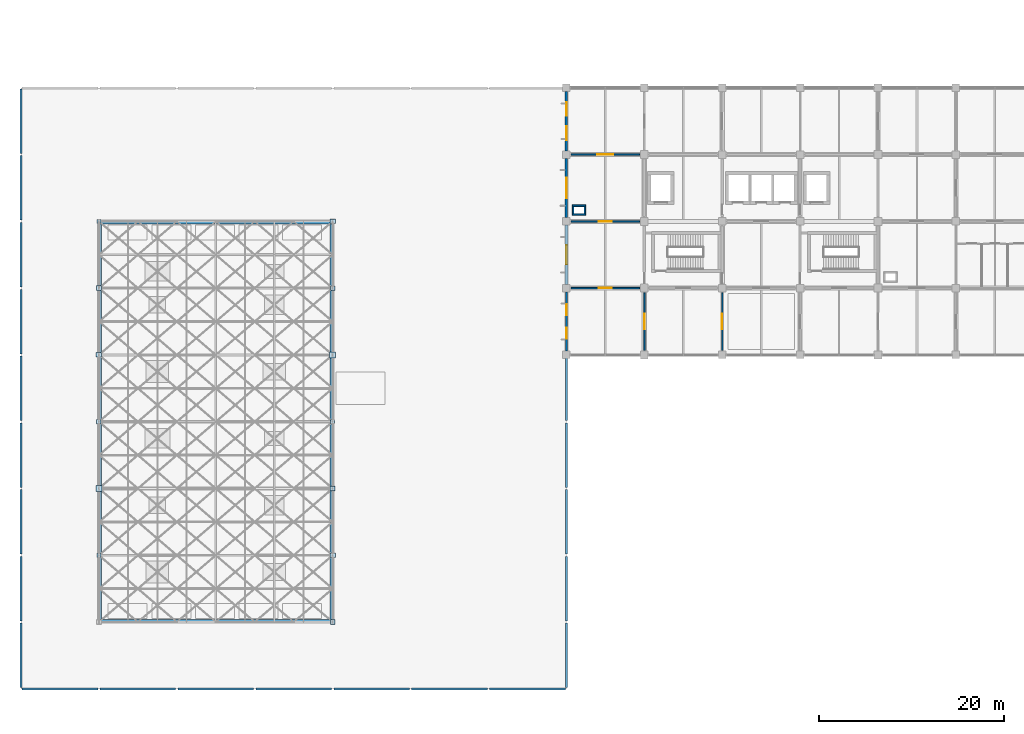
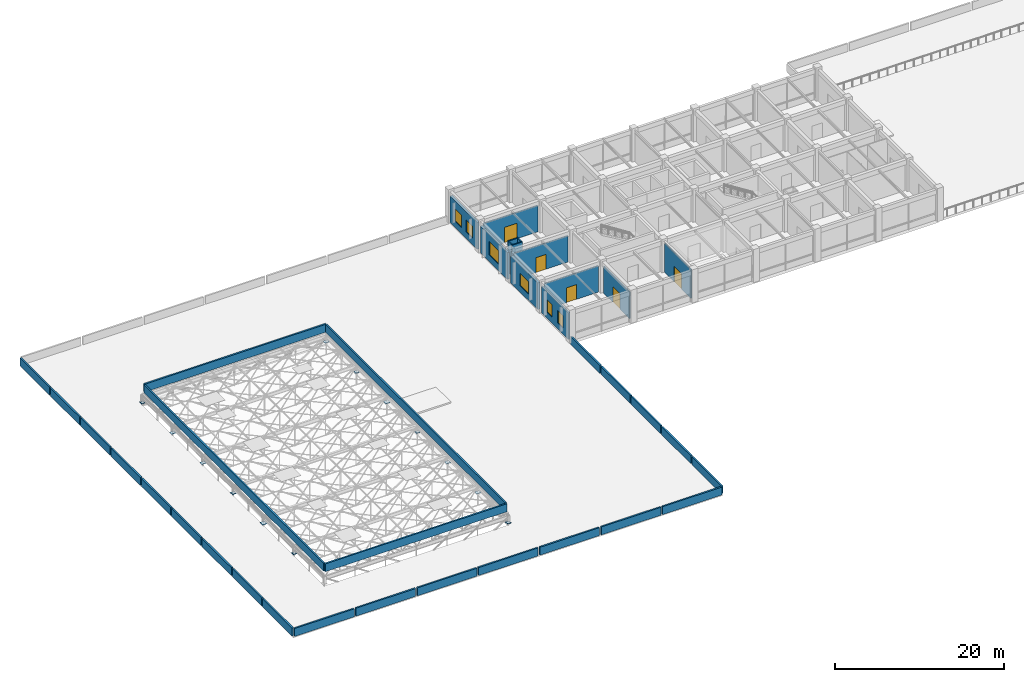
# One storey, part 38 of 45: 38 walls, 13 plates, 6 windows, 5 doors, 11 openings.
"""IFC4 building model written with IfcOpenShell, lengths in metres."""

from ifc_helpers import new_model, si_unit, derived_unit, direction, frame, frame_2d, origin, origin_2d, place, context, subcontext, project, spatial, rectangle, extrude, material, layer, layer_set, type_object, element, fill, save


model = new_model("IFC4")

# Units and contexts
model_context = context("Model", 3, precision=1e-05, world=origin(), true_north=direction((0.0, 1.0)))
body_context = subcontext(model_context, "Body", "Model", "MODEL_VIEW")
ifc_project = project(units=[si_unit("LENGTHUNIT", "METRE"), si_unit("AREAUNIT", "SQUARE_METRE"), si_unit("VOLUMEUNIT", "CUBIC_METRE"), si_unit("PLANEANGLEUNIT", "RADIAN"), si_unit("MASSUNIT", "GRAM", prefix="KILO"), derived_unit("THERMALTRANSMITTANCEUNIT", [(si_unit("MASSUNIT", "GRAM", prefix="KILO"), 1), (si_unit("TIMEUNIT", "SECOND"), -3), (si_unit("THERMODYNAMICTEMPERATUREUNIT", "KELVIN"), -1)])], contexts=[model_context])

# Site, building, storey
site_placement = place(None, origin())
site = spatial("IfcSite", under=ifc_project, at=site_placement, CompositionType="ELEMENT")
building_placement = place(site_placement, origin())
building = spatial("IfcBuilding", under=site, at=building_placement, Name="Veldstrom Oceanarium and Marine Research Institute", CompositionType="ELEMENT")
storey_placement = place(building_placement, frame((0.0, 0.0, 22.199951171875)))
storey = spatial("IfcBuildingStorey", under=building, at=storey_placement, Name="L04", CompositionType="ELEMENT", Elevation=22.199951171875)

# Plates
ifc_material_1 = material(Name="Steel S355JR", Category="steel")
ifc_layer_1 = layer(ifc_material_1, 0.0400390625)
ifc_layer_set_1 = layer_set([ifc_layer_1], Name="STR-PLT-BP1")
plate_type_1 = type_object("IfcPlateType", Name="STR-PLT-BP1", PredefinedType="SHEET", material=ifc_layer_set_1)
for number, where, z_axis, x_axis, name in (
    (1, (16.800048828125, 28.800048828125, 0.0), (0.0, 0.0, 1.0), (1.0, 0.0, 0.0), "Steel Pedestal Base Plate BP01-005"),
    (2, (42.0, 43.199951171875, 0.0), (0.0, 0.0, 1.0), (1.0, 0.0, 0.0), "Steel Pedestal Base Plate BP01-010"),
):
    element("IfcPlate", number, at=place(storey_placement, frame(where, z_axis=z_axis, x_axis=x_axis)), inside=storey, type_object=plate_type_1, Name=name, PredefinedType="SHEET", context=body_context, shape_type="SweptSolid", body=[
        extrude(rectangle(XDim=0.64990234375, YDim=0.64990234375, at=origin_2d()), origin(), (0.0, 0.0, 1.0), 0.0400390625),
    ])
ifc_material_2 = material(Name="Steel S355JR", Category="steel")
ifc_layer_2 = layer(ifc_material_2, 0.034912109375)
ifc_layer_set_2 = layer_set([ifc_layer_2], Name="STR-PLT-BP2")
plate_type_2 = type_object("IfcPlateType", Name="STR-PLT-BP2", PredefinedType="SHEET", material=ifc_layer_set_2)
for number, where, z_axis, x_axis, name in (
    (3, (42.0, 28.800048828125, 0.0), (0.0, 0.0, 1.0), (1.0, 0.0, 0.0), "Steel Pedestal Base Plate BP02-006"),
    (4, (16.800048828125, 50.39990234375, 0.0), (0.0, 0.0, 1.0), (1.0, 0.0, 0.0), "Steel Pedestal Base Plate BP02-011"),
):
    element("IfcPlate", number, at=place(storey_placement, frame(where, z_axis=z_axis, x_axis=x_axis)), inside=storey, type_object=plate_type_2, Name=name, PredefinedType="SHEET", context=body_context, shape_type="SweptSolid", body=[
        extrude(rectangle(XDim=0.550048828125, YDim=0.550048828125, at=origin_2d()), origin(), (0.0, 0.0, 1.0), 0.034912109375),
    ])
ifc_material_3 = material(Name="Steel S355JR", Category="steel")
ifc_layer_3 = layer(ifc_material_3, 0.031982421875)
ifc_layer_set_3 = layer_set([ifc_layer_3], Name="STR-PLT-BP3")
plate_type_3 = type_object("IfcPlateType", Name="STR-PLT-BP3", PredefinedType="SHEET", material=ifc_layer_set_3)
for number, where, z_axis, x_axis, name in (
    (5, (42.0, 14.39990234375, 0.0), (0.0, 0.0, 1.0), (1.0, 0.0, 0.0), "Steel Pedestal Base Plate BP03-002"),
    (6, (16.800048828125, 36.0, 0.0), (0.0, 0.0, 1.0), (1.0, 0.0, 0.0), "Steel Pedestal Base Plate BP03-007"),
    (7, (42.0, 50.39990234375, 0.0), (0.0, 0.0, 1.0), (1.0, 0.0, 0.0), "Steel Pedestal Base Plate BP03-012"),
):
    element("IfcPlate", number, at=place(storey_placement, frame(where, z_axis=z_axis, x_axis=x_axis)), inside=storey, type_object=plate_type_3, Name=name, PredefinedType="SHEET", context=body_context, shape_type="SweptSolid", body=[
        extrude(rectangle(XDim=0.5, YDim=0.5, at=origin_2d()), origin(), (0.0, 0.0, 1.0), 0.031982421875),
    ])
ifc_material_4 = material(Name="Steel S355JR", Category="steel")
ifc_layer_4 = layer(ifc_material_4, 0.030029296875)
ifc_layer_set_4 = layer_set([ifc_layer_4], Name="STR-PLT-BP4")
plate_type_4 = type_object("IfcPlateType", Name="STR-PLT-BP4", PredefinedType="SHEET", material=ifc_layer_set_4)
for number, where, z_axis, x_axis, name in (
    (8, (16.800048828125, 21.60009765625, 0.0), (0.0, 0.0, 1.0), (1.0, 0.0, 0.0), "Steel Pedestal Base Plate BP04-003"),
    (9, (42.0, 36.0, 0.0), (0.0, 0.0, 1.0), (1.0, 0.0, 0.0), "Steel Pedestal Base Plate BP04-008"),
    (10, (16.800048828125, 57.60009765625, 0.0), (0.0, 0.0, 1.0), (1.0, 0.0, 0.0), "Steel Pedestal Base Plate BP04-013"),
):
    element("IfcPlate", number, at=place(storey_placement, frame(where, z_axis=z_axis, x_axis=x_axis)), inside=storey, type_object=plate_type_4, Name=name, PredefinedType="SHEET", context=body_context, shape_type="SweptSolid", body=[
        extrude(rectangle(XDim=0.449951171875, YDim=0.449951171875, at=origin_2d()), origin(), (0.0, 0.0, 1.0), 0.030029296875),
    ])
ifc_material_5 = material(Name="Steel S355JR", Category="steel")
ifc_layer_5 = layer(ifc_material_5, 0.035888671875)
ifc_layer_set_5 = layer_set([ifc_layer_5], Name="STR-PLT-BP5")
plate_type_5 = type_object("IfcPlateType", Name="STR-PLT-BP5", PredefinedType="SHEET", material=ifc_layer_set_5)
for number, where, z_axis, x_axis, name in (
    (11, (42.0, 21.60009765625, 0.0), (0.0, 0.0, 1.0), (1.0, 0.0, 0.0), "Steel Pedestal Base Plate BP05-004"),
    (12, (16.800048828125, 43.199951171875, 0.0), (0.0, 0.0, 1.0), (1.0, 0.0, 0.0), "Steel Pedestal Base Plate BP05-009"),
    (13, (42.0, 57.60009765625, 0.0), (0.0, 0.0, 1.0), (1.0, 0.0, 0.0), "Steel Pedestal Base Plate BP05-014"),
):
    element("IfcPlate", number, at=place(storey_placement, frame(where, z_axis=z_axis, x_axis=x_axis)), inside=storey, type_object=plate_type_5, Name=name, PredefinedType="SHEET", context=body_context, shape_type="SweptSolid", body=[
        extrude(rectangle(XDim=0.60009765625, YDim=0.5, at=origin_2d()), origin(), (0.0, 0.0, 1.0), 0.035888671875),
    ])

# Wall, opening, window
ifc_material_6 = material(Name="Masonry Cavity Wall", Category="masonry")
ifc_layer_6 = layer(ifc_material_6, 0.31005859375)
ifc_layer_set_6 = layer_set([ifc_layer_6], Name="ARC-WAL-EW1")
wall_type_1 = type_object("IfcWallType", Name="ARC-WAL-EW1", PredefinedType="SOLIDWALL", material=ifc_layer_set_6)
wall_1_placement = place(storey_placement, frame((67.199951171875, 50.800048828125, 0.0), z_axis=(0.0, 0.0, 1.0), x_axis=(0.0, 1.0, 0.0)))
wall_1 = element("IfcWall", 14, at=wall_1_placement, inside=storey, type_object=wall_type_1, Name="Exterior Facade Wall EW1 L04-169", PredefinedType="SOLIDWALL", context=body_context, shape_type="SweptSolid", body=[
    extrude(rectangle(XDim=6.39990234375, YDim=0.31005859375, at=frame_2d((3.199951171875, 0.0))), origin(), (0.0, 0.0, 1.0), 3.864990234375),
])
opening_1_placement = place(wall_1_placement, frame((2.14990234375, 0.0, 0.89990234375)))
opening_1 = element("IfcOpeningElement", 15, at=opening_1_placement, cuts=wall_1, Name="Opening W02", PredefinedType="OPENING", context=body_context, shape_type="SweptSolid", body=[
    extrude(rectangle(XDim=2.10009765625, YDim=1.800048828125, at=frame_2d((1.050048828125, 0.89990234375))), frame((0.0, 0.1650390625, 0.0), z_axis=(0.0, -1.0, 0.0), x_axis=(1.0, 0.0, 0.0)), (0.0, 0.0, 1.0), 0.330078125),
])
ifc_material_7 = material(Name="Double Glazed Low-E IGU", Category="glass")
window_type_1 = type_object("IfcWindowType", Name="ARC-WIN-W02", PartitioningType="SINGLE_PANEL", PredefinedType="WINDOW", material=ifc_material_7)
window_1_placement = place(opening_1_placement, origin())
window_1 = element("IfcWindow", 16, at=window_1_placement, inside=storey, type_object=window_type_1, Name="Facade Window W02 L04-0125", OverallHeight=1.800048828125, OverallWidth=2.10009765625, PartitioningType="SINGLE_PANEL", PredefinedType="WINDOW", context=body_context, shape_type="SweptSolid", body=[
    extrude(rectangle(XDim=2.10009765625, YDim=1.800048828125, at=frame_2d((1.050048828125, 0.89990234375))), frame((0.0, 0.030029296875, 0.0), z_axis=(0.0, -1.0, 0.0), x_axis=(1.0, 0.0, 0.0)), (0.0, 0.0, 1.0), 0.06005859375),
])
fill(opening_1, window_1)

ifc_material_8 = material(Name="Masonry Cavity Wall", Category="masonry")
ifc_layer_7 = layer(ifc_material_8, 0.2900390625)
ifc_layer_set_7 = layer_set([ifc_layer_7], Name="ARC-WAL-EW2")
wall_type_2 = type_object("IfcWallType", Name="ARC-WAL-EW2", PredefinedType="SOLIDWALL", material=ifc_layer_set_7)
wall_2_placement = place(storey_placement, frame((67.199951171875, 58.0, 0.0), z_axis=(0.0, 0.0, 1.0), x_axis=(0.0, 1.0, 0.0)))
wall_2 = element("IfcWall", 17, at=wall_2_placement, inside=storey, type_object=wall_type_2, Name="Exterior Facade Wall EW2 L04-170", PredefinedType="SOLIDWALL", context=body_context, shape_type="SweptSolid", body=[
    extrude(rectangle(XDim=6.39990234375, YDim=0.2900390625, at=frame_2d((3.199951171875, 0.0))), origin(), (0.0, 0.0, 1.0), 3.864990234375),
])
opening_2_placement = place(wall_2_placement, frame((2.074951171875, 0.0, 0.89990234375)))
opening_2 = element("IfcOpeningElement", 18, at=opening_2_placement, cuts=wall_2, Name="Opening W21", PredefinedType="OPENING", context=body_context, shape_type="SweptSolid", body=[
    extrude(rectangle(XDim=2.25, YDim=1.949951171875, at=frame_2d((1.125, 0.97509765625))), frame((0.0, 0.155029296875, 0.0), z_axis=(0.0, -1.0, 0.0), x_axis=(1.0, 0.0, 0.0)), (0.0, 0.0, 1.0), 0.31005859375),
])
ifc_material_9 = material(Name="Double Glazed Low-E IGU", Category="glass")
window_type_2 = type_object("IfcWindowType", Name="ARC-WIN-W21", PartitioningType="SINGLE_PANEL", PredefinedType="WINDOW", material=ifc_material_9)
window_2_placement = place(opening_2_placement, origin())
window_2 = element("IfcWindow", 19, at=window_2_placement, inside=storey, type_object=window_type_2, Name="Facade Window W21 L04-0126", OverallHeight=1.949951171875, OverallWidth=2.25, PartitioningType="SINGLE_PANEL", PredefinedType="WINDOW", context=body_context, shape_type="SweptSolid", body=[
    extrude(rectangle(XDim=2.25, YDim=1.949951171875, at=frame_2d((1.125, 0.97509765625))), frame((0.0, 0.030029296875, 0.0), z_axis=(0.0, -1.0, 0.0), x_axis=(1.0, 0.0, 0.0)), (0.0, 0.0, 1.0), 0.06005859375),
])
fill(opening_2, window_2)

# Wall, openings, windows
ifc_material_10 = material(Name="Masonry Cavity Wall", Category="masonry")
ifc_layer_8 = layer(ifc_material_10, 0.27001953125)
ifc_layer_set_8 = layer_set([ifc_layer_8], Name="ARC-WAL-EW3")
wall_type_3 = type_object("IfcWallType", Name="ARC-WAL-EW3", PredefinedType="SOLIDWALL", material=ifc_layer_set_8)
wall_3_placement = place(storey_placement, frame((67.199951171875, 65.199951171875, 0.0), z_axis=(0.0, 0.0, 1.0), x_axis=(0.0, 1.0, 0.0)))
wall_3 = element("IfcWall", 20, at=wall_3_placement, inside=storey, type_object=wall_type_3, Name="Exterior Facade Wall EW3 L04-171", PredefinedType="SOLIDWALL", context=body_context, shape_type="SweptSolid", body=[
    extrude(rectangle(XDim=6.400146484375, YDim=0.27001953125, at=frame_2d((3.2001953125, 0.0))), origin(), (0.0, 0.0, 1.0), 3.864990234375),
])
opening_3_placement = place(wall_3_placement, frame((1.13330078125, 0.0, 0.89990234375)))
opening_3 = element("IfcOpeningElement", 21, at=opening_3_placement, cuts=wall_3, Name="Opening W04", PredefinedType="OPENING", context=body_context, shape_type="SweptSolid", body=[
    extrude(rectangle(XDim=1.5, YDim=1.800048828125, at=frame_2d((0.75, 0.89990234375))), frame((0.0, 0.14501953125, 0.0), z_axis=(0.0, -1.0, 0.0), x_axis=(1.0, 0.0, 0.0)), (0.0, 0.0, 1.0), 0.2900390625),
])
opening_4_placement = place(wall_3_placement, frame((3.7666015625, 0.0, 0.89990234375)))
opening_4 = element("IfcOpeningElement", 22, at=opening_4_placement, cuts=wall_3, Name="Opening W04", PredefinedType="OPENING", context=body_context, shape_type="SweptSolid", body=[
    extrude(rectangle(XDim=1.5, YDim=1.800048828125, at=frame_2d((0.75, 0.89990234375))), frame((0.0, 0.14501953125, 0.0), z_axis=(0.0, -1.0, 0.0), x_axis=(1.0, 0.0, 0.0)), (0.0, 0.0, 1.0), 0.2900390625),
])
ifc_material_11 = material(Name="Double Glazed Low-E IGU", Category="glass")
window_type_3 = type_object("IfcWindowType", Name="ARC-WIN-W04", PartitioningType="SINGLE_PANEL", PredefinedType="WINDOW", material=ifc_material_11)
window_3_placement = place(opening_3_placement, origin())
window_3 = element("IfcWindow", 23, at=window_3_placement, inside=storey, type_object=window_type_3, Name="Facade Window W04 L04-0127", OverallHeight=1.800048828125, OverallWidth=1.5, PartitioningType="SINGLE_PANEL", PredefinedType="WINDOW", context=body_context, shape_type="SweptSolid", body=[
    extrude(rectangle(XDim=1.5, YDim=1.800048828125, at=frame_2d((0.75, 0.89990234375))), frame((0.0, 0.030029296875, 0.0), z_axis=(0.0, -1.0, 0.0), x_axis=(1.0, 0.0, 0.0)), (0.0, 0.0, 1.0), 0.06005859375),
])
fill(opening_3, window_3)
window_4_placement = place(opening_4_placement, origin())
window_4 = element("IfcWindow", 24, at=window_4_placement, inside=storey, type_object=window_type_3, Name="Facade Window W04 L04-0128", OverallHeight=1.800048828125, OverallWidth=1.5, PartitioningType="SINGLE_PANEL", PredefinedType="WINDOW", context=body_context, shape_type="SweptSolid", body=[
    extrude(rectangle(XDim=1.5, YDim=1.800048828125, at=frame_2d((0.75, 0.89990234375))), frame((0.0, 0.030029296875, 0.0), z_axis=(0.0, -1.0, 0.0), x_axis=(1.0, 0.0, 0.0)), (0.0, 0.0, 1.0), 0.06005859375),
])
fill(opening_4, window_4)

ifc_material_12 = material(Name="Masonry Cavity Wall", Category="masonry")
ifc_layer_9 = layer(ifc_material_12, 0.215087890625)
ifc_layer_set_9 = layer_set([ifc_layer_9], Name="ARC-WAL-EW6")
wall_type_4 = type_object("IfcWallType", Name="ARC-WAL-EW6", PredefinedType="SOLIDWALL", material=ifc_layer_set_9)
wall_4_placement = place(storey_placement, frame((67.199951171875, 43.60009765625, 0.0), z_axis=(0.0, 0.0, 1.0), x_axis=(0.0, 1.0, 0.0)))
wall_4 = element("IfcWall", 25, at=wall_4_placement, inside=storey, type_object=wall_type_4, Name="Exterior Facade Wall EW6 L04-168", PredefinedType="SOLIDWALL", context=body_context, shape_type="SweptSolid", body=[
    extrude(rectangle(XDim=6.39990234375, YDim=0.215087890625, at=frame_2d((3.199951171875, 0.0))), origin(), (0.0, 0.0, 1.0), 3.864990234375),
])
opening_5_placement = place(wall_4_placement, frame((1.333251953125, 0.0, 0.89990234375)))
opening_5 = element("IfcOpeningElement", 26, at=opening_5_placement, cuts=wall_4, Name="Opening W05", PredefinedType="OPENING", context=body_context, shape_type="SweptSolid", body=[
    extrude(rectangle(XDim=1.199951171875, YDim=1.800048828125, at=frame_2d((0.60009765625, 0.89990234375))), frame((0.0, 0.117431640625, 0.0), z_axis=(0.0, -1.0, 0.0), x_axis=(1.0, 0.0, 0.0)), (0.0, 0.0, 1.0), 0.235107421875),
])
opening_6_placement = place(wall_4_placement, frame((3.86669921875, 0.0, 0.89990234375)))
opening_6 = element("IfcOpeningElement", 27, at=opening_6_placement, cuts=wall_4, Name="Opening W05", PredefinedType="OPENING", context=body_context, shape_type="SweptSolid", body=[
    extrude(rectangle(XDim=1.199951171875, YDim=1.800048828125, at=frame_2d((0.60009765625, 0.89990234375))), frame((0.0, 0.117431640625, 0.0), z_axis=(0.0, -1.0, 0.0), x_axis=(1.0, 0.0, 0.0)), (0.0, 0.0, 1.0), 0.235107421875),
])
ifc_material_13 = material(Name="Double Glazed Low-E IGU", Category="glass")
window_type_4 = type_object("IfcWindowType", Name="ARC-WIN-W05", PartitioningType="SINGLE_PANEL", PredefinedType="WINDOW", material=ifc_material_13)
window_5_placement = place(opening_5_placement, origin())
window_5 = element("IfcWindow", 28, at=window_5_placement, inside=storey, type_object=window_type_4, Name="Facade Window W05 L04-0123", OverallHeight=1.800048828125, OverallWidth=1.199951171875, PartitioningType="SINGLE_PANEL", PredefinedType="WINDOW", context=body_context, shape_type="SweptSolid", body=[
    extrude(rectangle(XDim=1.199951171875, YDim=1.800048828125, at=frame_2d((0.60009765625, 0.89990234375))), frame((0.0, 0.030029296875, 0.0), z_axis=(0.0, -1.0, 0.0), x_axis=(1.0, 0.0, 0.0)), (0.0, 0.0, 1.0), 0.06005859375),
])
fill(opening_5, window_5)
window_6_placement = place(opening_6_placement, origin())
window_6 = element("IfcWindow", 29, at=window_6_placement, inside=storey, type_object=window_type_4, Name="Facade Window W05 L04-0124", OverallHeight=1.800048828125, OverallWidth=1.199951171875, PartitioningType="SINGLE_PANEL", PredefinedType="WINDOW", context=body_context, shape_type="SweptSolid", body=[
    extrude(rectangle(XDim=1.199951171875, YDim=1.800048828125, at=frame_2d((0.60009765625, 0.89990234375))), frame((0.0, 0.030029296875, 0.0), z_axis=(0.0, -1.0, 0.0), x_axis=(1.0, 0.0, 0.0)), (0.0, 0.0, 1.0), 0.06005859375),
])
fill(opening_6, window_6)

# Walls
ifc_material_14 = material(Name="Masonry Cavity Wall", Category="masonry")
ifc_layer_10 = layer(ifc_material_14, 0.219970703125)
ifc_layer_set_10 = layer_set([ifc_layer_10], Name="ARC-WAL-PR1")
wall_type_5 = type_object("IfcWallType", Name="ARC-WAL-PR1", PredefinedType="PARAPET", material=ifc_layer_set_10)
wall_5_placement = place(storey_placement, frame((8.52001953125, 7.199951171875, -0.349853515625), z_axis=(0.0, 0.0, 1.0), x_axis=(1.0, 0.0, 0.0)))
element("IfcWall", 30, at=wall_5_placement, inside=storey, type_object=wall_type_5, Name="Roof Parapet Wall L03-069", PredefinedType="PARAPET", context=body_context, shape_type="SweptSolid", body=[
    extrude(rectangle(XDim=8.159912109375, YDim=0.219970703125, at=frame_2d((4.080078125, 0.0))), origin(), (0.0, 0.0, 1.0), 1.14990234375),
])
for number, where, z_axis, x_axis, name in (
    (31, (8.39990234375, 7.320068359375, -0.349853515625), (0.0, 0.0, 1.0), (0.0, 1.0, 0.0), "Roof Parapet Wall L03-070"),
    (32, (8.39990234375, 14.52001953125, -0.349853515625), (0.0, 0.0, 1.0), (0.0, 1.0, 0.0), "Roof Parapet Wall L03-071"),
    (33, (8.39990234375, 21.719970703125, -0.349853515625), (0.0, 0.0, 1.0), (0.0, 1.0, 0.0), "Roof Parapet Wall L03-072"),
    (34, (8.39990234375, 28.919921875, -0.349853515625), (0.0, 0.0, 1.0), (0.0, 1.0, 0.0), "Roof Parapet Wall L03-073"),
    (35, (8.39990234375, 36.1201171875, -0.349853515625), (0.0, 0.0, 1.0), (0.0, 1.0, 0.0), "Roof Parapet Wall L03-074"),
    (36, (8.39990234375, 43.320068359375, -0.349853515625), (0.0, 0.0, 1.0), (0.0, 1.0, 0.0), "Roof Parapet Wall L03-075"),
    (37, (8.39990234375, 50.52001953125, -0.349853515625), (0.0, 0.0, 1.0), (0.0, 1.0, 0.0), "Roof Parapet Wall L03-076"),
    (38, (8.39990234375, 57.719970703125, -0.349853515625), (0.0, 0.0, 1.0), (0.0, 1.0, 0.0), "Roof Parapet Wall L03-077"),
    (39, (8.39990234375, 64.919921875, -0.349853515625), (0.0, 0.0, 1.0), (0.0, 1.0, 0.0), "Roof Parapet Wall L03-079"),
):
    element("IfcWall", number, at=place(storey_placement, frame(where, z_axis=z_axis, x_axis=x_axis)), inside=storey, type_object=wall_type_5, Name=name, PredefinedType="PARAPET", context=body_context, shape_type="SweptSolid", body=[
        extrude(rectangle(XDim=6.9599609375, YDim=0.219970703125, at=frame_2d((3.47998046875, 0.0))), origin(), (0.0, 0.0, 1.0), 1.14990234375),
    ])
wall_6_placement = place(storey_placement, frame((16.919921875, 7.199951171875, -0.349853515625), z_axis=(0.0, 0.0, 1.0), x_axis=(1.0, 0.0, 0.0)))
element("IfcWall", 40, at=wall_6_placement, inside=storey, type_object=wall_type_5, Name="Roof Parapet Wall L03-080", PredefinedType="PARAPET", context=body_context, shape_type="SweptSolid", body=[
    extrude(rectangle(XDim=8.16015625, YDim=0.219970703125, at=frame_2d((4.080078125, 0.0))), origin(), (0.0, 0.0, 1.0), 1.14990234375),
])
for number, where, z_axis, x_axis, name in (
    (41, (25.320068359375, 7.199951171875, -0.349853515625), (0.0, 0.0, 1.0), (1.0, 0.0, 0.0), "Roof Parapet Wall L03-082"),
    (42, (33.719970703125, 7.199951171875, -0.349853515625), (0.0, 0.0, 1.0), (1.0, 0.0, 0.0), "Roof Parapet Wall L03-084"),
    (43, (42.1201171875, 7.199951171875, -0.349853515625), (0.0, 0.0, 1.0), (1.0, 0.0, 0.0), "Roof Parapet Wall L03-086"),
    (44, (50.52001953125, 7.199951171875, -0.349853515625), (0.0, 0.0, 1.0), (1.0, 0.0, 0.0), "Roof Parapet Wall L03-088"),
):
    element("IfcWall", number, at=place(storey_placement, frame(where, z_axis=z_axis, x_axis=x_axis)), inside=storey, type_object=wall_type_5, Name=name, PredefinedType="PARAPET", context=body_context, shape_type="SweptSolid", body=[
        extrude(rectangle(XDim=8.159912109375, YDim=0.219970703125, at=frame_2d((4.080078125, 0.0))), origin(), (0.0, 0.0, 1.0), 1.14990234375),
    ])
wall_7_placement = place(storey_placement, frame((58.919921875, 7.199951171875, -0.349853515625), z_axis=(0.0, 0.0, 1.0), x_axis=(1.0, 0.0, 0.0)))
element("IfcWall", 45, at=wall_7_placement, inside=storey, type_object=wall_type_5, Name="Roof Parapet Wall L03-090", PredefinedType="PARAPET", context=body_context, shape_type="SweptSolid", body=[
    extrude(rectangle(XDim=8.16015625, YDim=0.219970703125, at=frame_2d((4.080078125, 0.0))), origin(), (0.0, 0.0, 1.0), 1.14990234375),
])
for number, where, z_axis, x_axis, name in (
    (46, (67.199951171875, 7.320068359375, -0.349853515625), (0.0, 0.0, 1.0), (0.0, 1.0, 0.0), "Roof Parapet Wall L03-091"),
    (47, (67.199951171875, 14.52001953125, -0.349853515625), (0.0, 0.0, 1.0), (0.0, 1.0, 0.0), "Roof Parapet Wall L03-092"),
    (48, (67.199951171875, 21.719970703125, -0.349853515625), (0.0, 0.0, 1.0), (0.0, 1.0, 0.0), "Roof Parapet Wall L03-093"),
    (49, (67.199951171875, 28.919921875, -0.349853515625), (0.0, 0.0, 1.0), (0.0, 1.0, 0.0), "Roof Parapet Wall L03-094"),
    (50, (67.199951171875, 36.1201171875, -0.349853515625), (0.0, 0.0, 1.0), (0.0, 1.0, 0.0), "Roof Parapet Wall L03-095"),
):
    element("IfcWall", number, at=place(storey_placement, frame(where, z_axis=z_axis, x_axis=x_axis)), inside=storey, type_object=wall_type_5, Name=name, PredefinedType="PARAPET", context=body_context, shape_type="SweptSolid", body=[
        extrude(rectangle(XDim=6.9599609375, YDim=0.219970703125, at=frame_2d((3.47998046875, 0.0))), origin(), (0.0, 0.0, 1.0), 1.14990234375),
    ])
for number, where, z_axis, x_axis, name in (
    (51, (16.949951171875, 14.550048828125, 1.60009765625), (0.0, 0.0, 1.0), (1.0, 0.0, 0.0), "Aquarium Hall Roof Parapet L03-S"),
    (52, (16.949951171875, 57.449951171875, 1.60009765625), (0.0, 0.0, 1.0), (1.0, 0.0, 0.0), "Aquarium Hall Roof Parapet L03-N"),
):
    element("IfcWall", number, at=place(storey_placement, frame(where, z_axis=z_axis, x_axis=x_axis)), inside=storey, type_object=wall_type_5, Name=name, PredefinedType="PARAPET", context=body_context, shape_type="SweptSolid", body=[
        extrude(rectangle(XDim=24.900146484375, YDim=0.219970703125, at=frame_2d((12.4501953125, 0.0))), origin(), (0.0, 0.0, 1.0), 1.14990234375),
    ])
for number, where, z_axis, x_axis, name in (
    (53, (16.949951171875, 14.699951171875, 1.60009765625), (0.0, 0.0, 1.0), (0.0, 1.0, 0.0), "Aquarium Hall Roof Parapet L03-W"),
    (54, (41.85009765625, 14.699951171875, 1.60009765625), (0.0, 0.0, 1.0), (0.0, 1.0, 0.0), "Aquarium Hall Roof Parapet L03-E"),
):
    element("IfcWall", number, at=place(storey_placement, frame(where, z_axis=z_axis, x_axis=x_axis)), inside=storey, type_object=wall_type_5, Name=name, PredefinedType="PARAPET", context=body_context, shape_type="SweptSolid", body=[
        extrude(rectangle(XDim=42.60009765625, YDim=0.219970703125, at=frame_2d((21.300048828125, 0.0))), origin(), (0.0, 0.0, 1.0), 1.14990234375),
    ])

# Wall, opening, door
ifc_material_15 = material(Name="Drywall Corridor Partition", Category="gypsum")
ifc_layer_11 = layer(ifc_material_15, 0.155029296875)
ifc_layer_set_11 = layer_set([ifc_layer_11], Name="ARC-WAL-PT4")
wall_type_6 = type_object("IfcWallType", Name="ARC-WAL-PT4", PredefinedType="PARTITIONING", material=ifc_layer_set_11)
wall_8_placement = place(storey_placement, frame((75.60009765625, 43.699951171875, 0.0), z_axis=(0.0, 0.0, 1.0), x_axis=(0.0, 1.0, 0.0)))
wall_8 = element("IfcWall", 55, at=wall_8_placement, inside=storey, type_object=wall_type_6, Name="Interior Partition PT4 L04-1400", PredefinedType="PARTITIONING", context=body_context, shape_type="SweptSolid", body=[
    extrude(rectangle(XDim=6.199951171875, YDim=0.155029296875, at=frame_2d((3.10009765625, 0.0))), origin(), (0.0, 0.0, 1.0), 3.864990234375),
])
opening_7_placement = place(wall_8_placement, frame((2.25, 0.0, 0.0)))
opening_7 = element("IfcOpeningElement", 56, at=opening_7_placement, cuts=wall_8, Name="Opening D-L04-826", PredefinedType="OPENING", context=body_context, shape_type="SweptSolid", body=[
    extrude(rectangle(XDim=1.699951171875, YDim=2.25, at=frame_2d((0.85009765625, 1.125))), frame((0.0, 0.08740234375, 0.0), z_axis=(0.0, -1.0, 0.0), x_axis=(1.0, 0.0, 0.0)), (0.0, 0.0, 1.0), 0.175048828125),
])
ifc_material_16 = material(Name="Symposium Auditorium Door", Category="timber")
door_type_1 = type_object("IfcDoorType", Name="ARC-DOR-ID13", OperationType="DOUBLE_DOOR_SINGLE_SWING", PredefinedType="DOOR", material=ifc_material_16)
door_1_placement = place(opening_7_placement, frame((1.699951171875, 0.0, 0.0), z_axis=(0.0, 0.0, 1.0), x_axis=(-1.0, 0.0, 0.0)))
door_1 = element("IfcDoor", 57, at=door_1_placement, inside=storey, type_object=door_type_1, Name="Interior Door D-L04-826", OperationType="DOUBLE_DOOR_SINGLE_SWING", OverallHeight=2.25, OverallWidth=1.699951171875, PredefinedType="DOOR", context=body_context, shape_type="SweptSolid", body=[
    extrude(rectangle(XDim=1.699951171875, YDim=2.25, at=frame_2d((0.85009765625, 1.125))), frame((0.0, 0.02490234375, 0.0), z_axis=(0.0, -1.0, 0.0), x_axis=(1.0, 0.0, 0.0)), (0.0, 0.0, 1.0), 0.050048828125),
])
fill(opening_7, door_1)

wall_9_placement = place(storey_placement, frame((67.699951171875, 50.39990234375, 0.0), z_axis=(0.0, 0.0, 1.0), x_axis=(1.0, 0.0, 0.0)))
wall_9 = element("IfcWall", 58, at=wall_9_placement, inside=storey, type_object=wall_type_6, Name="Interior Partition PT4 L04-1401", PredefinedType="PARTITIONING", context=body_context, shape_type="SweptSolid", body=[
    extrude(rectangle(XDim=7.400146484375, YDim=0.155029296875, at=frame_2d((3.7001953125, 0.0))), origin(), (0.0, 0.0, 1.0), 3.81494140625),
])
opening_8_placement = place(wall_9_placement, frame((3.0, 0.0, 0.0)))
opening_8 = element("IfcOpeningElement", 59, at=opening_8_placement, cuts=wall_9, Name="Opening D-L04-827", PredefinedType="OPENING", context=body_context, shape_type="SweptSolid", body=[
    extrude(rectangle(XDim=1.39990234375, YDim=2.14990234375, at=frame_2d((0.699951171875, 1.074951171875))), frame((0.0, 0.08740234375, 0.0), z_axis=(0.0, -1.0, 0.0), x_axis=(1.0, 0.0, 0.0)), (0.0, 0.0, 1.0), 0.175048828125),
])
ifc_material_17 = material(Name="Education Classroom Door", Category="timber")
door_type_2 = type_object("IfcDoorType", Name="ARC-DOR-ID04", OperationType="DOUBLE_DOOR_SINGLE_SWING", PredefinedType="DOOR", material=ifc_material_17)
door_2_placement = place(opening_8_placement, origin())
door_2 = element("IfcDoor", 60, at=door_2_placement, inside=storey, type_object=door_type_2, Name="Interior Door D-L04-827", OperationType="DOUBLE_DOOR_SINGLE_SWING", OverallHeight=2.14990234375, OverallWidth=1.39990234375, PredefinedType="DOOR", context=body_context, shape_type="SweptSolid", body=[
    extrude(rectangle(XDim=1.39990234375, YDim=2.14990234375, at=frame_2d((0.699951171875, 1.074951171875))), frame((0.0, 0.02490234375, 0.0), z_axis=(0.0, -1.0, 0.0), x_axis=(1.0, 0.0, 0.0)), (0.0, 0.0, 1.0), 0.050048828125),
])
fill(opening_8, door_2)

wall_10_placement = place(storey_placement, frame((67.699951171875, 64.800048828125, 0.0), z_axis=(0.0, 0.0, 1.0), x_axis=(1.0, 0.0, 0.0)))
wall_10 = element("IfcWall", 61, at=wall_10_placement, inside=storey, type_object=wall_type_6, Name="Interior Partition PT4 L04-1405", PredefinedType="PARTITIONING", context=body_context, shape_type="SweptSolid", body=[
    extrude(rectangle(XDim=7.400146484375, YDim=0.155029296875, at=frame_2d((3.7001953125, 0.0))), origin(), (0.0, 0.0, 1.0), 3.81494140625),
])
opening_9_placement = place(wall_10_placement, frame((2.85009765625, 0.0, 0.0)))
opening_9 = element("IfcOpeningElement", 62, at=opening_9_placement, cuts=wall_10, Name="Opening D-L04-830", PredefinedType="OPENING", context=body_context, shape_type="SweptSolid", body=[
    extrude(rectangle(XDim=1.699951171875, YDim=2.25, at=frame_2d((0.85009765625, 1.125))), frame((0.0, 0.08740234375, 0.0), z_axis=(0.0, -1.0, 0.0), x_axis=(1.0, 0.0, 0.0)), (0.0, 0.0, 1.0), 0.175048828125),
])
door_3_placement = place(opening_9_placement, origin())
door_3 = element("IfcDoor", 63, at=door_3_placement, inside=storey, type_object=door_type_1, Name="Interior Door D-L04-830", OperationType="DOUBLE_DOOR_SINGLE_SWING", OverallHeight=2.25, OverallWidth=1.699951171875, PredefinedType="DOOR", context=body_context, shape_type="SweptSolid", body=[
    extrude(rectangle(XDim=1.699951171875, YDim=2.25, at=frame_2d((0.85009765625, 1.125))), frame((0.0, 0.02490234375, 0.0), z_axis=(0.0, -1.0, 0.0), x_axis=(1.0, 0.0, 0.0)), (0.0, 0.0, 1.0), 0.050048828125),
])
fill(opening_9, door_3)

ifc_material_18 = material(Name="Moisture-Resistant Wet-Area Partition", Category="masonry")
ifc_layer_12 = layer(ifc_material_18, 0.139892578125)
ifc_layer_set_12 = layer_set([ifc_layer_12], Name="ARC-WAL-PT5")
wall_type_7 = type_object("IfcWallType", Name="ARC-WAL-PT5", PredefinedType="PARTITIONING", material=ifc_layer_set_12)
wall_11_placement = place(storey_placement, frame((67.699951171875, 57.60009765625, 0.0), z_axis=(0.0, 0.0, 1.0), x_axis=(1.0, 0.0, 0.0)))
wall_11 = element("IfcWall", 64, at=wall_11_placement, inside=storey, type_object=wall_type_7, Name="Interior Partition PT5 L04-1403", PredefinedType="PARTITIONING", context=body_context, shape_type="SweptSolid", body=[
    extrude(rectangle(XDim=7.400146484375, YDim=0.139892578125, at=frame_2d((3.7001953125, 0.0))), origin(), (0.0, 0.0, 1.0), 3.81494140625),
])
opening_10_placement = place(wall_11_placement, frame((3.0, 0.0, 0.0)))
opening_10 = element("IfcOpeningElement", 65, at=opening_10_placement, cuts=wall_11, Name="Opening D-L04-829", PredefinedType="OPENING", context=body_context, shape_type="SweptSolid", body=[
    extrude(rectangle(XDim=1.39990234375, YDim=2.14990234375, at=frame_2d((0.699951171875, 1.074951171875))), frame((0.0, 0.079833984375, 0.0), z_axis=(0.0, -1.0, 0.0), x_axis=(1.0, 0.0, 0.0)), (0.0, 0.0, 1.0), 0.159912109375),
])
door_4_placement = place(opening_10_placement, frame((1.39990234375, 0.0, 0.0), z_axis=(0.0, 0.0, 1.0), x_axis=(-1.0, 0.0, 0.0)))
door_4 = element("IfcDoor", 66, at=door_4_placement, inside=storey, type_object=door_type_2, Name="Interior Door D-L04-829", OperationType="DOUBLE_DOOR_SINGLE_SWING", OverallHeight=2.14990234375, OverallWidth=1.39990234375, PredefinedType="DOOR", context=body_context, shape_type="SweptSolid", body=[
    extrude(rectangle(XDim=1.39990234375, YDim=2.14990234375, at=frame_2d((0.699951171875, 1.074951171875))), frame((0.0, 0.02490234375, 0.0), z_axis=(0.0, -1.0, 0.0), x_axis=(1.0, 0.0, 0.0)), (0.0, 0.0, 1.0), 0.050048828125),
])
fill(opening_10, door_4)

wall_12_placement = place(storey_placement, frame((84.0, 43.699951171875, 0.0), z_axis=(0.0, 0.0, 1.0), x_axis=(0.0, 1.0, 0.0)))
wall_12 = element("IfcWall", 67, at=wall_12_placement, inside=storey, type_object=wall_type_7, Name="Interior Partition PT5 L04-1407", PredefinedType="PARTITIONING", context=body_context, shape_type="SweptSolid", body=[
    extrude(rectangle(XDim=6.199951171875, YDim=0.139892578125, at=frame_2d((3.10009765625, 0.0))), origin(), (0.0, 0.0, 1.0), 4.22509765625),
])
opening_11_placement = place(wall_12_placement, frame((2.25, 0.0, 0.0)))
opening_11 = element("IfcOpeningElement", 68, at=opening_11_placement, cuts=wall_12, Name="Opening D-L04-832", PredefinedType="OPENING", context=body_context, shape_type="SweptSolid", body=[
    extrude(rectangle(XDim=1.699951171875, YDim=2.25, at=frame_2d((0.85009765625, 1.125))), frame((0.0, 0.079833984375, 0.0), z_axis=(0.0, -1.0, 0.0), x_axis=(1.0, 0.0, 0.0)), (0.0, 0.0, 1.0), 0.159912109375),
])
door_5_placement = place(opening_11_placement, origin())
door_5 = element("IfcDoor", 69, at=door_5_placement, inside=storey, type_object=door_type_1, Name="Interior Door D-L04-832", OperationType="DOUBLE_DOOR_SINGLE_SWING", OverallHeight=2.25, OverallWidth=1.699951171875, PredefinedType="DOOR", context=body_context, shape_type="SweptSolid", body=[
    extrude(rectangle(XDim=1.699951171875, YDim=2.25, at=frame_2d((0.85009765625, 1.125))), frame((0.0, 0.02490234375, 0.0), z_axis=(0.0, -1.0, 0.0), x_axis=(1.0, 0.0, 0.0)), (0.0, 0.0, 1.0), 0.050048828125),
])
fill(opening_11, door_5)

# Walls
ifc_material_19 = material(Name="Service Riser Fire Shaft Wall", Category="masonry")
ifc_layer_13 = layer(ifc_material_19, 0.1650390625)
ifc_layer_set_13 = layer_set([ifc_layer_13], Name="ARC-WAL-PT9")
wall_type_8 = type_object("IfcWallType", Name="ARC-WAL-PT9", PredefinedType="PARTITIONING", material=ifc_layer_set_13)
for number, where, z_axis, x_axis, name in (
    (70, (67.8349609375, 58.3173828125, 0.0), (0.0, 0.0, 1.0), (1.0, 0.0, 0.0), "Service Riser Fire Shaft Wall L04-CW-S"),
    (71, (67.8349609375, 59.282470703125, 0.0), (0.0, 0.0, 1.0), (1.0, 0.0, 0.0), "Service Riser Fire Shaft Wall L04-CW-N"),
):
    element("IfcWall", number, at=place(storey_placement, frame(where, z_axis=z_axis, x_axis=x_axis)), inside=storey, type_object=wall_type_8, Name=name, PredefinedType="PARTITIONING", context=body_context, shape_type="SweptSolid", body=[
        extrude(rectangle(XDim=1.429931640625, YDim=0.1650390625, at=frame_2d((0.71484375, 0.0))), origin(), (0.0, 0.0, 1.0), 4.52001953125),
    ])
for number, where, z_axis, x_axis, name in (
    (72, (67.91748046875, 58.39990234375, 0.0), (0.0, 0.0, 1.0), (0.0, 1.0, 0.0), "Service Riser Fire Shaft Wall L04-CW-W"),
    (73, (69.1826171875, 58.39990234375, 0.0), (0.0, 0.0, 1.0), (0.0, 1.0, 0.0), "Service Riser Fire Shaft Wall L04-CW-E"),
):
    element("IfcWall", number, at=place(storey_placement, frame(where, z_axis=z_axis, x_axis=x_axis)), inside=storey, type_object=wall_type_8, Name=name, PredefinedType="PARTITIONING", context=body_context, shape_type="SweptSolid", body=[
        extrude(rectangle(XDim=0.800048828125, YDim=0.1650390625, at=frame_2d((0.39990234375, 0.0))), origin(), (0.0, 0.0, 1.0), 4.52001953125),
    ])

save(model, "model.ifc")
